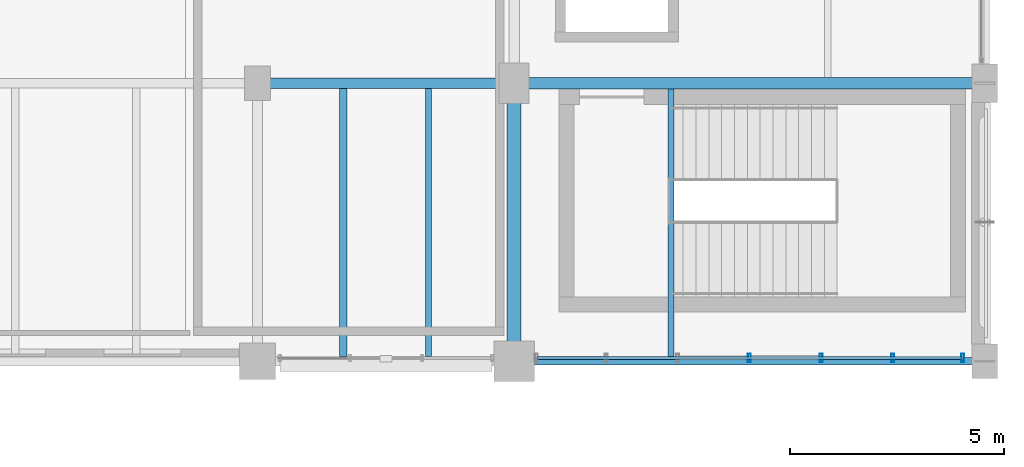
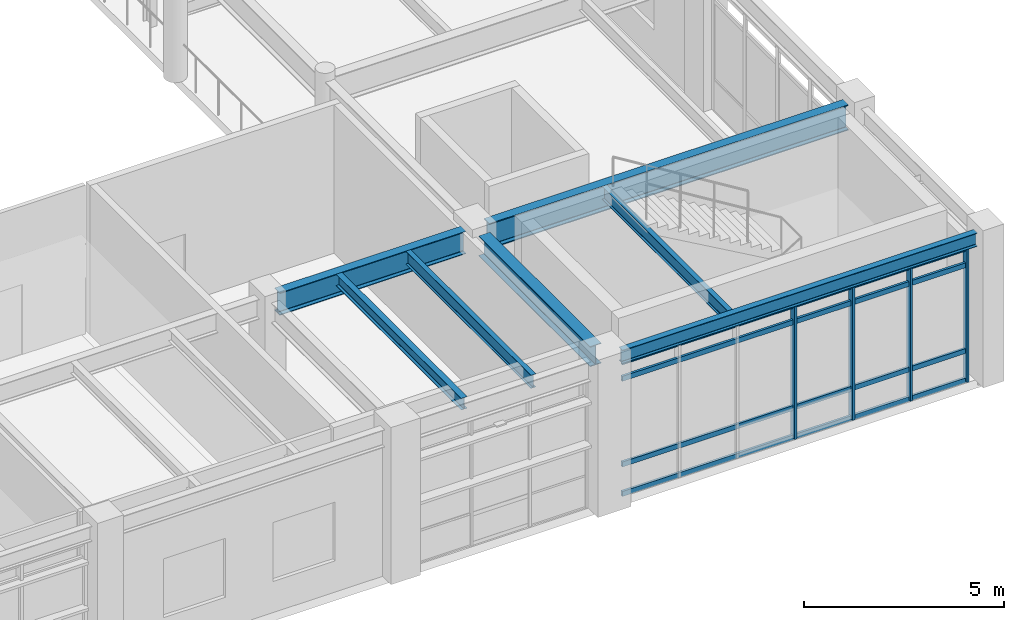
# One storey, part 116 of 200: 8 members, 7 beams, 1 element without a shape of its own.
"""IFC4 building model written with IfcOpenShell, lengths in metres."""

import ifcopenshell
import ifcopenshell.guid

model = None  # the IFC model being written
_history = None  # IfcOwnerHistory: only IFC2X3 demands one
_inside = {}  # id of a spatial element -> (the spatial element, [elements in it])
_under = {}  # id of a project, library or spatial element -> (it, [spatial elements below it])
_declared = {}  # id of a project -> (the project, [libraries it declares])
_typed = {}  # id of a type object -> (the type object, [elements of that type])
_made_of = {}  # id of a material, layer set ... -> (it, [elements and type objects made of it])


def new_model(schema):
    """Start an empty IFC model of exactly this schema.

    Asked for "IFC4X3", IfcOpenShell would pick the latest addendum, in which some entities
    have other attributes; the version numbers below select the first issue.
    IFC2X3 requires an IfcOwnerHistory on every rooted entity: one is made here for all.
    """
    global model, _history
    if schema == "IFC4X3":
        model = ifcopenshell.file(schema_version=(4, 3, 0, 0))
    else:
        model = ifcopenshell.file(schema=schema)
    _inside.clear()
    _under.clear()
    _declared.clear()
    _typed.clear()
    _made_of.clear()
    _history = None
    if model.schema == "IFC2X3":
        org = make("IfcOrganization", Name="unknown")
        user = make(
            "IfcPersonAndOrganization",
            ThePerson=make("IfcPerson", FamilyName="unknown"),
            TheOrganization=org,
        )
        app = make(
            "IfcApplication",
            ApplicationDeveloper=org,
            Version="unknown",
            ApplicationFullName="unknown",
            ApplicationIdentifier="unknown",
        )
        _history = make(
            "IfcOwnerHistory",
            OwningUser=user,
            OwningApplication=app,
            ChangeAction="ADDED",
            CreationDate=0,
        )
    return model


def make(cls, **values):
    """One entity of the class cls with the attributes given. An attribute that is None is left unset."""
    return model.create_entity(
        cls, **{name: value for name, value in values.items() if value is not None}
    )


def rooted(cls, **values):
    """An entity with a GlobalId (a new one), such as an element, a storey or a relation."""
    return make(cls, GlobalId=ifcopenshell.guid.new(), OwnerHistory=_history, **values)


def si_unit(unit_type, name, prefix=None):
    """IfcSIUnit, for example si_unit("LENGTHUNIT", "METRE", prefix="MILLI")."""
    return make("IfcSIUnit", UnitType=unit_type, Prefix=prefix, Name=name)


def assignment(units):
    """IfcUnitAssignment: the units of a project."""
    return None if units is None else make("IfcUnitAssignment", Units=units)


def point(xyz):
    """IfcCartesianPoint."""
    return None if xyz is None else make("IfcCartesianPoint", Coordinates=xyz)


def direction(xyz):
    """IfcDirection."""
    return None if xyz is None else make("IfcDirection", DirectionRatios=xyz)


def frame(location, z_axis=None, x_axis=None):
    """IfcAxis2Placement3D, a coordinate frame: its origin and axes. An axis left out is left unset."""
    return make(
        "IfcAxis2Placement3D",
        Location=point(location),
        Axis=direction(z_axis),
        RefDirection=direction(x_axis),
    )


def frame_2d(location, x_axis=None):
    """IfcAxis2Placement2D, a coordinate frame in the plane: its origin and x axis."""
    return make(
        "IfcAxis2Placement2D", Location=point(location), RefDirection=direction(x_axis)
    )


def origin():
    """The frame at (0, 0, 0) with its axes left unset."""
    return frame((0.0, 0.0, 0.0))


def origin_2d():
    """The frame at (0, 0) in the plane with its x axis left unset."""
    return frame_2d((0.0, 0.0))


def place(relative_to, where):
    """IfcLocalPlacement: puts the frame where relative to a parent placement (None: the world)."""
    return make(
        "IfcLocalPlacement", PlacementRelTo=relative_to, RelativePlacement=where
    )


def context(
    kind, dimensions, precision=None, world=None, true_north=None, identifier=None
):
    """IfcGeometricRepresentationContext, for example the 3D "Model" context."""
    return make(
        "IfcGeometricRepresentationContext",
        ContextIdentifier=identifier,
        ContextType=kind,
        CoordinateSpaceDimension=dimensions,
        Precision=precision,
        WorldCoordinateSystem=world,
        TrueNorth=true_north,
    )


def subcontext(parent, identifier, kind, view, scale=None):
    """IfcGeometricRepresentationSubContext, for example "Body" below "Model"."""
    return make(
        "IfcGeometricRepresentationSubContext",
        ContextIdentifier=identifier,
        ContextType=kind,
        ParentContext=parent,
        TargetScale=scale,
        TargetView=view,
    )


def project(units=None, contexts=None):
    """IfcProject with its units and contexts."""
    return rooted(
        "IfcProject",
        Name="project",
        RepresentationContexts=contexts,
        UnitsInContext=assignment(units),
    )


def spatial(cls, under=None, at=None, **own):
    """A site, building, storey or space (cls), placed at a placement, below another one or the project."""
    s = rooted(cls, ObjectPlacement=at, **own)
    if under is not None:
        _under.setdefault(under.id(), (under, []))[1].append(s)
    return s


def profile(cls, at=None, kind="AREA", **sizes):
    """A parametric profile (cls). Its sizes go by their IFC names, for example OverallWidth=200.0."""
    return make(cls, ProfileType=kind, Position=at, **sizes)


def hollow_rectangle(**sizes):
    """IfcRectangleHollowProfileDef."""
    return profile("IfcRectangleHollowProfileDef", **sizes)


def i_section(**sizes):
    """IfcIShapeProfileDef."""
    return profile("IfcIShapeProfileDef", **sizes)


def extrude(swept, where, along, depth):
    """IfcExtrudedAreaSolid: the profile swept, set in the frame where, extruded along a direction by depth."""
    return make(
        "IfcExtrudedAreaSolid",
        SweptArea=swept,
        Position=where,
        ExtrudedDirection=direction(along),
        Depth=depth,
    )


def shape(context_of_items, identifier, shape_type, items):
    """IfcShapeRepresentation: the items that make up one representation, for example the "Body"."""
    return make(
        "IfcShapeRepresentation",
        ContextOfItems=context_of_items,
        RepresentationIdentifier=identifier,
        RepresentationType=shape_type,
        Items=items,
    )


def material(Name=None, Category=None):
    """IfcMaterial."""
    return make("IfcMaterial", Name=Name, Category=Category)


def material_profile(
    of_material, cross_section, Name=None, Category=None, Priority=None
):
    """IfcMaterialProfile: a cross section and its material."""
    return make(
        "IfcMaterialProfile",
        Name=Name,
        Material=of_material,
        Profile=cross_section,
        Priority=Priority,
        Category=Category,
    )


def profile_set(profiles, Name=None, composite=None):
    """IfcMaterialProfileSet."""
    return make(
        "IfcMaterialProfileSet",
        Name=Name,
        MaterialProfiles=profiles,
        CompositeProfile=composite,
    )


def made_of(thing, what):
    """Note that an element or type object is made of a material, layer set ...; save() writes the relation."""
    if what is not None:
        _made_of.setdefault(what.id(), (what, []))[1].append(thing)
    return thing


def type_object(cls, material=None, **own):
    """A type object (cls), such as IfcWallType, which elements share."""
    return made_of(rooted(cls, **own), material)


def element(
    cls,
    number,
    at=None,
    inside=None,
    cuts=None,
    type_object=None,
    material=None,
    context=None,
    identifier="Body",
    shape_type=None,
    held_by="IfcProductDefinitionShape",
    body=None,
    shapes=None,
    **own,
):
    """One element of the class cls, such as IfcWall. Its Tag is "e" and its number.

    at: its placement. inside: the storey or other place that contains it. cuts: it is an
    opening in that element (IfcRelVoidsElement). A single representation is given by context,
    identifier, shape_type and body (its items); several are given by shapes. held_by: the class
    of the entity that holds the representations. save() writes the other relations.
    """
    e = rooted(cls, Tag="e%d" % number, ObjectPlacement=at, **own)
    if body is not None:
        shapes = [shape(context, identifier, shape_type, body)]
    if shapes is not None:
        e.Representation = make(held_by, Representations=shapes)
    if inside is not None:
        _inside.setdefault(inside.id(), (inside, []))[1].append(e)
    if cuts is not None:
        rooted(
            "IfcRelVoidsElement", RelatingBuildingElement=cuts, RelatedOpeningElement=e
        )
    if type_object is not None:
        _typed.setdefault(type_object.id(), (type_object, []))[1].append(e)
    return made_of(e, material)


def aggregate(whole, parts):
    """IfcRelAggregates: a whole, such as a stair, and the parts it consists of."""
    return rooted("IfcRelAggregates", RelatingObject=whole, RelatedObjects=parts)


def save(model, path):
    """Write the relations noted so far, then the file.

    IfcRelAggregates (storeys below a building ...), IfcRelContainedInSpatialStructure (elements
    in a storey), IfcRelDefinesByType, IfcRelAssociatesMaterial and IfcRelDeclares: one each for
    every whole, place, type object, material and project.
    """
    for whole, parts in _under.values():
        aggregate(whole, parts)
    for where, things in _inside.values():
        rooted(
            "IfcRelContainedInSpatialStructure",
            RelatedElements=things,
            RelatingStructure=where,
        )
    for kind, things in _typed.values():
        rooted("IfcRelDefinesByType", RelatedObjects=things, RelatingType=kind)
    for what, things in _made_of.values():
        rooted("IfcRelAssociatesMaterial", RelatedObjects=things, RelatingMaterial=what)
    for by, libraries in _declared.values():
        rooted("IfcRelDeclares", RelatingContext=by, RelatedDefinitions=libraries)
    model.write(path)


model = new_model("IFC4")

# Units and contexts
model_context = context("Model", 3, precision=1e-05, world=origin(), true_north=direction((0.0, 1.0)))
body_context = subcontext(model_context, "Body", "Model", "MODEL_VIEW")
ifc_project = project(units=[si_unit("LENGTHUNIT", "METRE"), si_unit("AREAUNIT", "SQUARE_METRE"), si_unit("VOLUMEUNIT", "CUBIC_METRE"), si_unit("PLANEANGLEUNIT", "RADIAN"), si_unit("MASSUNIT", "GRAM", prefix="KILO"), si_unit("THERMODYNAMICTEMPERATUREUNIT", "KELVIN"), si_unit("POWERUNIT", "WATT")], contexts=[model_context])

# Site, building, storey
site_placement = place(None, origin())
site = spatial("IfcSite", under=ifc_project, at=site_placement, CompositionType="ELEMENT")
building_placement = place(site_placement, origin())
building = spatial("IfcBuilding", under=site, at=building_placement, Name="Tepalcoro Natatorium and Aquatics Centre", CompositionType="ELEMENT")
storey_placement = place(building_placement, frame((0.0, 0.0, 5.39990234375)))
storey = spatial("IfcBuildingStorey", under=building, at=storey_placement, Name="L01", CompositionType="ELEMENT", Elevation=5.39990234375)

# Beams
ifc_material_1 = material(Name="Steel ASTM A992 Grade 50 (Fy 345 MPa)", Category="steel")
ifc_material_profile_1 = material_profile(ifc_material_1, i_section(OverallWidth=0.324951171875, OverallDepth=0.616943359375, WebThickness=0.013916015625, FlangeThickness=0.02197265625, FilletRadius=0.013916015625, at=origin_2d()), Name="W24X117")
ifc_profile_set_1 = profile_set([ifc_material_profile_1], Name="Steel ASTM A992 Grade 50 (Fy 345 MPa)")
beam_type_1 = type_object("IfcBeamType", Name="BM_W24x117", PredefinedType="BEAM", material=ifc_profile_set_1)
beam_1_placement = place(storey_placement, frame((165.0, 6.9599609375, 4.236572265625), z_axis=(0.0, 1.0, 0.0), x_axis=(-1.0, 0.0, 0.0)))
element("IfcBeam", 1, at=beam_1_placement, inside=storey, type_object=beam_type_1, Name="V2 L01 Grid Girder Y", PredefinedType="BEAM", context=body_context, shape_type="SweptSolid", body=[
    extrude(i_section(OverallWidth=0.324951171875, OverallDepth=0.616943359375, WebThickness=0.013916015625, FlangeThickness=0.02197265625, FilletRadius=0.013916015625, at=origin_2d()), origin(), (0.0, 0.0, 1.0), 5.580078125),
])
ifc_material_profile_2 = material_profile(ifc_material_1, i_section(OverallWidth=0.25390625, OverallDepth=0.68798828125, WebThickness=0.012939453125, FlangeThickness=0.02099609375, FilletRadius=0.013916015625, at=origin_2d()), Name="W27X102")
ifc_profile_set_2 = profile_set([ifc_material_profile_2], Name="Steel ASTM A992 Grade 50 (Fy 345 MPa)")
beam_type_2 = type_object("IfcBeamType", Name="BM_W27x102", PredefinedType="BEAM", material=ifc_profile_set_2)
beam_2_placement = place(storey_placement, frame((159.284912109375, 13.0, 4.201171875), z_axis=(1.0, 0.0, 0.0), x_axis=(0.0, 1.0, 0.0)))
element("IfcBeam", 2, at=beam_2_placement, inside=storey, type_object=beam_type_2, Name="V2 L01 Grid Girder X", PredefinedType="BEAM", context=body_context, shape_type="SweptSolid", body=[
    extrude(i_section(OverallWidth=0.25390625, OverallDepth=0.68798828125, WebThickness=0.012939453125, FlangeThickness=0.02099609375, FilletRadius=0.013916015625, at=origin_2d()), origin(), (0.0, 0.0, 1.0), 5.380126953125),
])
ifc_material_profile_3 = material_profile(ifc_material_1, i_section(OverallWidth=0.26708984375, OverallDepth=0.780029296875, WebThickness=0.01708984375, FlangeThickness=0.030029296875, FilletRadius=0.013916015625, at=origin_2d()), Name="W30X148")
ifc_profile_set_3 = profile_set([ifc_material_profile_3], Name="Steel ASTM A992 Grade 50 (Fy 345 MPa)")
beam_type_3 = type_object("IfcBeamType", Name="BM_W30x148", PredefinedType="BEAM", material=ifc_profile_set_3)
beam_3_placement = place(storey_placement, frame((165.3349609375, 13.0, 4.155029296875), z_axis=(1.0, 0.0, 0.0), x_axis=(0.0, 1.0, 0.0)))
element("IfcBeam", 3, at=beam_3_placement, inside=storey, type_object=beam_type_3, Name="V2 L01 Grid Girder X", PredefinedType="BEAM", context=body_context, shape_type="SweptSolid", body=[
    extrude(i_section(OverallWidth=0.26708984375, OverallDepth=0.780029296875, WebThickness=0.01708984375, FlangeThickness=0.030029296875, FilletRadius=0.013916015625, at=origin_2d()), origin(), (0.0, 0.0, 1.0), 10.380126953125),
])

# Curtain wall, members
ifc_material_2 = material(Name="Bronze-Anodised Extruded Aluminium Alloy EN AW-6063 T6", Category="aluminium")
curtain_wall_type = type_object("IfcCurtainWallType", Name="CW_V5_LOWER", PredefinedType="USERDEFINED", material=ifc_material_2)
curtain_wall_placement = place(storey_placement, origin())
curtain_wall = element("IfcCurtainWall", 4, at=curtain_wall_placement, inside=storey, type_object=curtain_wall_type, Name="V2 L01 S Unitised Curtain Wall Bay 4", ObjectType="UNITISED STOREFRONT", PredefinedType="USERDEFINED")
ifc_material_profile_4 = material_profile(ifc_material_2, hollow_rectangle(XDim=0.070068359375, YDim=0.199951171875, WallThickness=0.0048828125, at=origin_2d()), Name="AL70X200X5")
ifc_profile_set_4 = profile_set([ifc_material_profile_4], Name="Bronze-Anodised Extruded Aluminium Alloy EN AW-6063 T6")
member_type_1 = type_object("IfcMemberType", Name="CW_MUL_70x200", PredefinedType="MULLION", material=ifc_profile_set_4)
member_1_placement = place(storey_placement, frame((170.5, 6.580078125, 0.02001953125), z_axis=(0.0, 0.0, 1.0), x_axis=(1.0, 0.0, 0.0)))
member_1 = element("IfcMember", 5, at=member_1_placement, type_object=member_type_1, Name="CW_V5_LOWER Curtain Wall Mullion", PredefinedType="MULLION", context=body_context, shape_type="SweptSolid", body=[
    extrude(hollow_rectangle(XDim=0.070068359375, YDim=0.199951171875, WallThickness=0.0048828125, at=origin_2d()), origin(), (0.0, 0.0, 1.0), 4.0771484375),
])
member_2_placement = place(storey_placement, frame((172.17333984375, 6.580078125, 0.02001953125), z_axis=(0.0, 0.0, 1.0), x_axis=(1.0, 0.0, 0.0)))
member_2 = element("IfcMember", 6, at=member_2_placement, type_object=member_type_1, Name="CW_V5_LOWER Curtain Wall Mullion", PredefinedType="MULLION", context=body_context, shape_type="SweptSolid", body=[
    extrude(hollow_rectangle(XDim=0.070068359375, YDim=0.199951171875, WallThickness=0.0048828125, at=origin_2d()), origin(), (0.0, 0.0, 1.0), 4.0771484375),
])
member_3_placement = place(storey_placement, frame((173.8466796875, 6.580078125, 0.02001953125), z_axis=(0.0, 0.0, 1.0), x_axis=(1.0, 0.0, 0.0)))
member_3 = element("IfcMember", 7, at=member_3_placement, type_object=member_type_1, Name="CW_V5_LOWER Curtain Wall Mullion", PredefinedType="MULLION", context=body_context, shape_type="SweptSolid", body=[
    extrude(hollow_rectangle(XDim=0.070068359375, YDim=0.199951171875, WallThickness=0.0048828125, at=origin_2d()), origin(), (0.0, 0.0, 1.0), 4.0771484375),
])
member_4_placement = place(storey_placement, frame((175.47998046875, 6.580078125, 0.02001953125), z_axis=(0.0, 0.0, 1.0), x_axis=(1.0, 0.0, 0.0)))
member_4 = element("IfcMember", 8, at=member_4_placement, type_object=member_type_1, Name="CW_V5_LOWER Curtain Wall Mullion", PredefinedType="MULLION", context=body_context, shape_type="SweptSolid", body=[
    extrude(hollow_rectangle(XDim=0.070068359375, YDim=0.199951171875, WallThickness=0.0048828125, at=origin_2d()), origin(), (0.0, 0.0, 1.0), 4.0771484375),
])
ifc_material_profile_5 = material_profile(ifc_material_2, hollow_rectangle(XDim=0.070068359375, YDim=0.14990234375, WallThickness=0.00390625, at=origin_2d()), Name="AL70X150X4")
ifc_profile_set_5 = profile_set([ifc_material_profile_5], Name="Bronze-Anodised Extruded Aluminium Alloy EN AW-6063 T6")
member_type_2 = type_object("IfcMemberType", Name="CW_TRN_70x150", PredefinedType="USERDEFINED", material=ifc_profile_set_5)
member_5_placement = place(storey_placement, frame((165.530029296875, 6.580078125, 0.050048828125), z_axis=(1.0, 0.0, 0.0), x_axis=(0.0, 1.0, 0.0)))
member_5 = element("IfcMember", 9, at=member_5_placement, type_object=member_type_2, Name="CW_V5_LOWER Curtain Wall Transom", ObjectType="TRANSOM", PredefinedType="USERDEFINED", context=body_context, shape_type="SweptSolid", body=[
    extrude(hollow_rectangle(XDim=0.070068359375, YDim=0.14990234375, WallThickness=0.00390625, at=origin_2d()), origin(), (0.0, 0.0, 1.0), 9.93994140625),
])
member_6_placement = place(storey_placement, frame((165.530029296875, 6.580078125, 0.9501953125), z_axis=(1.0, 0.0, 0.0), x_axis=(0.0, 1.0, 0.0)))
member_6 = element("IfcMember", 10, at=member_6_placement, type_object=member_type_2, Name="CW_V5_LOWER Curtain Wall Transom", ObjectType="TRANSOM", PredefinedType="USERDEFINED", context=body_context, shape_type="SweptSolid", body=[
    extrude(hollow_rectangle(XDim=0.070068359375, YDim=0.14990234375, WallThickness=0.00390625, at=origin_2d()), origin(), (0.0, 0.0, 1.0), 9.93994140625),
])
member_7_placement = place(storey_placement, frame((165.530029296875, 6.580078125, 3.567138671875), z_axis=(1.0, 0.0, 0.0), x_axis=(0.0, 1.0, 0.0)))
member_7 = element("IfcMember", 11, at=member_7_placement, type_object=member_type_2, Name="CW_V5_LOWER Curtain Wall Transom", ObjectType="TRANSOM", PredefinedType="USERDEFINED", context=body_context, shape_type="SweptSolid", body=[
    extrude(hollow_rectangle(XDim=0.070068359375, YDim=0.14990234375, WallThickness=0.00390625, at=origin_2d()), origin(), (0.0, 0.0, 1.0), 9.93994140625),
])
member_8_placement = place(storey_placement, frame((165.530029296875, 6.580078125, 4.067138671875), z_axis=(1.0, 0.0, 0.0), x_axis=(0.0, 1.0, 0.0)))
member_8 = element("IfcMember", 12, at=member_8_placement, type_object=member_type_2, Name="CW_V5_LOWER Curtain Wall Transom", ObjectType="TRANSOM", PredefinedType="USERDEFINED", context=body_context, shape_type="SweptSolid", body=[
    extrude(hollow_rectangle(XDim=0.070068359375, YDim=0.14990234375, WallThickness=0.00390625, at=origin_2d()), origin(), (0.0, 0.0, 1.0), 9.93994140625),
])
aggregate(curtain_wall, [member_1, member_2, member_3, member_4, member_5, member_6, member_7, member_8])

# Beams
ifc_material_profile_6 = material_profile(ifc_material_1, i_section(OverallWidth=0.172119140625, OverallDepth=0.35791015625, WebThickness=0.008056640625, FlangeThickness=0.012939453125, FilletRadius=0.013916015625, at=origin_2d()), Name="W14X38")
ifc_profile_set_6 = profile_set([ifc_material_profile_6], Name="Steel ASTM A992 Grade 50 (Fy 345 MPa)")
beam_type_4 = type_object("IfcBeamType", Name="JS_W14x38", PredefinedType="JOIST", material=ifc_profile_set_6)
beam_4_placement = place(storey_placement, frame((161.0, 6.614501953125, 4.3662109375), z_axis=(0.0, 1.0, 0.0), x_axis=(-1.0, 0.0, 0.0)))
element("IfcBeam", 13, at=beam_4_placement, inside=storey, type_object=beam_type_4, Name="V2 L01 Floor Joist", PredefinedType="JOIST", context=body_context, shape_type="SweptSolid", body=[
    extrude(i_section(OverallWidth=0.172119140625, OverallDepth=0.35791015625, WebThickness=0.008056640625, FlangeThickness=0.012939453125, FilletRadius=0.013916015625, at=origin_2d()), origin(), (0.0, 0.0, 1.0), 6.258544921875),
])
ifc_material_profile_7 = material_profile(ifc_material_1, i_section(OverallWidth=0.139892578125, OverallDepth=0.404052734375, WebThickness=0.007080078125, FlangeThickness=0.010986328125, FilletRadius=0.013916015625, at=origin_2d()), Name="W16X31")
ifc_profile_set_7 = profile_set([ifc_material_profile_7], Name="Steel ASTM A992 Grade 50 (Fy 345 MPa)")
beam_type_5 = type_object("IfcBeamType", Name="JS_W16x31", PredefinedType="JOIST", material=ifc_profile_set_7)
beam_5_placement = place(storey_placement, frame((163.0, 6.614501953125, 4.343017578125), z_axis=(0.0, 1.0, 0.0), x_axis=(-1.0, 0.0, 0.0)))
element("IfcBeam", 14, at=beam_5_placement, inside=storey, type_object=beam_type_5, Name="V2 L01 Floor Joist", PredefinedType="JOIST", context=body_context, shape_type="SweptSolid", body=[
    extrude(i_section(OverallWidth=0.139892578125, OverallDepth=0.404052734375, WebThickness=0.007080078125, FlangeThickness=0.010986328125, FilletRadius=0.013916015625, at=origin_2d()), origin(), (0.0, 0.0, 1.0), 6.258544921875),
])
beam_6_placement = place(storey_placement, frame((168.666748046875, 6.590087890625, 4.343017578125), z_axis=(0.0, 1.0, 0.0), x_axis=(-1.0, 0.0, 0.0)))
element("IfcBeam", 15, at=beam_6_placement, inside=storey, type_object=beam_type_5, Name="V2 L01 Floor Joist", PredefinedType="JOIST", context=body_context, shape_type="SweptSolid", body=[
    extrude(i_section(OverallWidth=0.139892578125, OverallDepth=0.404052734375, WebThickness=0.007080078125, FlangeThickness=0.010986328125, FilletRadius=0.013916015625, at=origin_2d()), origin(), (0.0, 0.0, 1.0), 6.2763671875),
])
ifc_material_profile_8 = material_profile(ifc_material_1, i_section(OverallWidth=0.179931640625, OverallDepth=0.4130859375, WebThickness=0.010009765625, FlangeThickness=0.01611328125, FilletRadius=0.013916015625, at=origin_2d()), Name="W16X50")
ifc_profile_set_8 = profile_set([ifc_material_profile_8], Name="Steel ASTM A992 Grade 50 (Fy 345 MPa)")
beam_type_6 = type_object("IfcBeamType", Name="SP_HSS300x200x12", PredefinedType="SPANDREL", material=ifc_profile_set_8)
beam_7_placement = place(storey_placement, frame((165.4599609375, 6.5, 4.338623046875), z_axis=(1.0, 0.0, 0.0), x_axis=(0.0, 1.0, 0.0)))
element("IfcBeam", 16, at=beam_7_placement, inside=storey, type_object=beam_type_6, Name="V2 L01 Grid Girder X", PredefinedType="SPANDREL", context=body_context, shape_type="SweptSolid", body=[
    extrude(i_section(OverallWidth=0.179931640625, OverallDepth=0.4130859375, WebThickness=0.010009765625, FlangeThickness=0.01611328125, FilletRadius=0.013916015625, at=origin_2d()), origin(), (0.0, 0.0, 1.0), 10.255126953125),
])

save(model, "model.ifc")
